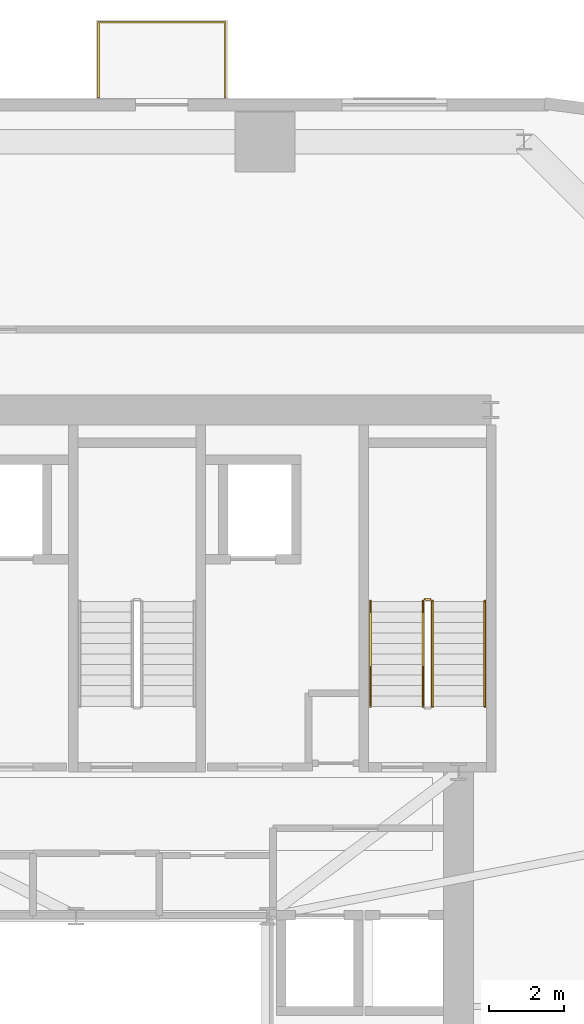
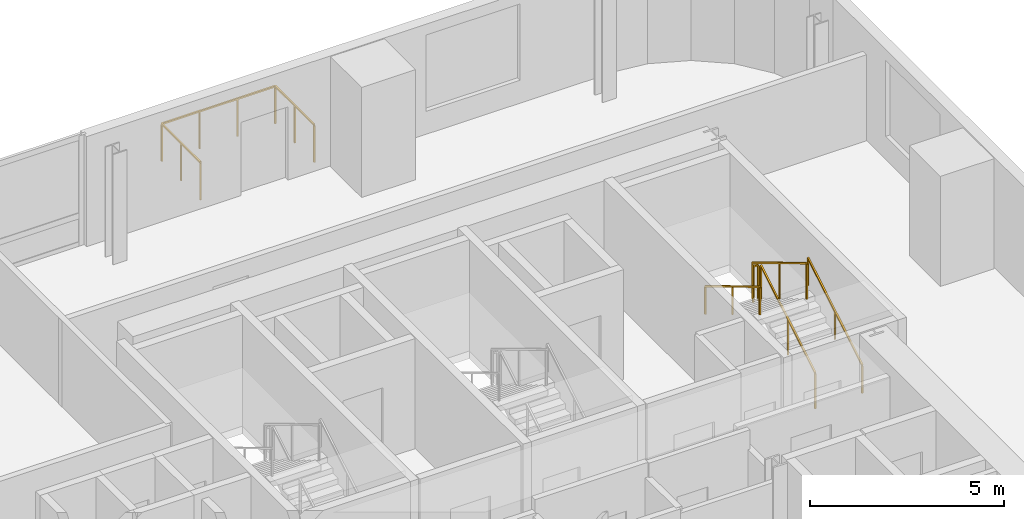
# One storey, part 14 of 14: 6 railings.
"""IFC4 building model written with IfcOpenShell, lengths in metres."""

from ifc_helpers import new_model, si_unit, direction, frame, origin, origin_2d, place, context, subcontext, project, spatial, rectangle, extrude, source, transform, mapped, material, type_object, element, save


model = new_model("IFC4")

# Units and contexts
model_context = context("Model", 3, precision=1e-05, world=origin(), true_north=direction((0.0, 1.0)))
body_context = subcontext(model_context, "Body", "Model", "MODEL_VIEW")
ifc_project = project(units=[si_unit("LENGTHUNIT", "METRE"), si_unit("AREAUNIT", "SQUARE_METRE"), si_unit("VOLUMEUNIT", "CUBIC_METRE"), si_unit("PLANEANGLEUNIT", "RADIAN"), si_unit("MASSUNIT", "GRAM", prefix="KILO")], contexts=[model_context])

# Site, building, storey
site_placement = place(None, origin())
site = spatial("IfcSite", under=ifc_project, at=site_placement, CompositionType="ELEMENT")
building_placement = place(site_placement, origin())
building = spatial("IfcBuilding", under=site, at=building_placement, Name="Vardaveli Station Tower", CompositionType="ELEMENT")
storey_placement = place(building_placement, frame((0.0, 0.0, 126.10009765625)))
storey = spatial("IfcBuildingStorey", under=building, at=storey_placement, Name="L32", CompositionType="ELEMENT", Elevation=126.10009765625)

# Railings
ifc_material_1 = material(Name="Laminated glass and stainless steel balustrade", Category="steel")
railing_type_1 = type_object("IfcRailingType", Name="RL-BAL-1200", PredefinedType="BALUSTRADE", material=ifc_material_1)
shared_shape_1 = source(origin(), body_context, "Body", "SweptSolid", [
    extrude(rectangle(XDim=0.048095703125, YDim=0.048095703125, at=origin_2d()), frame((0.0, 0.0, 1.17578125), z_axis=(0.0, 1.0, 0.0), x_axis=(-1.0, 0.0, 0.0)), (0.0, 0.0, 1.0), 2.0),
    extrude(rectangle(XDim=0.048095703125, YDim=0.048095703125, at=origin_2d()), frame((0.0, 2.0, 1.17578125), z_axis=(1.0, 0.0, 0.0), x_axis=(0.0, 1.0, 0.0)), (0.0, 0.0, 1.0), 3.3798828125),
    extrude(rectangle(XDim=0.048095703125, YDim=0.048095703125, at=origin_2d()), frame((3.3798828125, 2.0, 1.17578125), z_axis=(0.0, -1.0, 0.0), x_axis=(1.0, 0.0, 0.0)), (0.0, 0.0, 1.0), 2.0),
    extrude(rectangle(XDim=0.0419921875, YDim=0.0419921875, at=origin_2d()), origin(), (0.0, 0.0, 1.0), 1.15185546875),
    extrude(rectangle(XDim=0.0419921875, YDim=0.0419921875, at=origin_2d()), frame((0.0, 1.0, 0.0)), (0.0, 0.0, 1.0), 1.15185546875),
    extrude(rectangle(XDim=0.0419921875, YDim=0.0419921875, at=origin_2d()), frame((0.0, 2.0, 0.0)), (0.0, 0.0, 1.0), 1.15185546875),
    extrude(rectangle(XDim=0.0419921875, YDim=0.0419921875, at=origin_2d()), frame((1.126708984375, 2.0, 0.0)), (0.0, 0.0, 1.0), 1.15185546875),
    extrude(rectangle(XDim=0.0419921875, YDim=0.0419921875, at=origin_2d()), frame((2.253173828125, 2.0, 0.0)), (0.0, 0.0, 1.0), 1.15185546875),
    extrude(rectangle(XDim=0.0419921875, YDim=0.0419921875, at=origin_2d()), frame((3.3798828125, 2.0, 0.0)), (0.0, 0.0, 1.0), 1.15185546875),
    extrude(rectangle(XDim=0.0419921875, YDim=0.0419921875, at=origin_2d()), frame((3.3798828125, 1.0, 0.0)), (0.0, 0.0, 1.0), 1.15185546875),
    extrude(rectangle(XDim=0.0419921875, YDim=0.0419921875, at=origin_2d()), frame((3.3798828125, 0.0, 0.0)), (0.0, 0.0, 1.0), 1.15185546875),
])
railing_1_placement = place(storey_placement, frame((36.899658203125, 48.639892578125, 0.0)))
element("IfcRailing", 1, at=railing_1_placement, inside=storey, type_object=railing_type_1, Name="RL-LOG-L32-02", PredefinedType="BALUSTRADE", context=body_context, shape_type="MappedRepresentation", body=[
    mapped(shared_shape_1, transform((0.0, 0.0, 0.0), scale=1.0)),
])
ifc_material_2 = material(Name="Brushed AISI 316 stainless steel", Category="steel")
railing_type_2 = type_object("IfcRailingType", Name="RL-GUARD-1150", PredefinedType="GUARDRAIL", material=ifc_material_2)
shared_shape_2 = source(origin(), body_context, "Body", "SweptSolid", [
    extrude(rectangle(XDim=0.048095703125, YDim=0.048095703125, at=origin_2d()), frame((0.0, 0.0, 1.1259765625), z_axis=(-1.0, 0.0, 0.0), x_axis=(0.0, -1.0, 0.0)), (0.0, 0.0, 1.0), 0.14990234375),
    extrude(rectangle(XDim=0.0419921875, YDim=0.0419921875, at=origin_2d()), origin(), (0.0, 0.0, 1.0), 1.101806640625),
    extrude(rectangle(XDim=0.0419921875, YDim=0.0419921875, at=origin_2d()), frame((-0.14990234375, 0.0, 0.0)), (0.0, 0.0, 1.0), 1.101806640625),
])
railing_2_placement = place(storey_placement, frame((45.75, 35.25, 1.849853515625)))
element("IfcRailing", 2, at=railing_2_placement, inside=storey, type_object=railing_type_2, Name="L32 ST-3 stair guard 2", PredefinedType="GUARDRAIL", context=body_context, shape_type="MappedRepresentation", body=[
    mapped(shared_shape_2, transform((0.0, 0.0, 0.0), scale=1.0)),
])
shared_shape_3 = source(origin(), body_context, "Body", "SweptSolid", [
    extrude(rectangle(XDim=0.048095703125, YDim=0.048095703125, at=origin_2d()), frame((0.0, 0.0, 1.1259765625), z_axis=(0.0, -0.857242210791, 0.514913383045), x_axis=(1.0, 0.0, 0.0)), (0.0, 0.0, 1.0), 3.266357421875),
    extrude(rectangle(XDim=0.0419921875, YDim=0.0419921875, at=origin_2d()), origin(), (0.0, 0.0, 1.0), 1.101806640625),
    extrude(rectangle(XDim=0.0419921875, YDim=0.0419921875, at=origin_2d()), frame((0.0, -1.39990234375, 0.8408203125)), (0.0, 0.0, 1.0), 1.101806640625),
    extrude(rectangle(XDim=0.0419921875, YDim=0.0419921875, at=origin_2d()), frame((0.0, -2.800048828125, 1.681884765625)), (0.0, 0.0, 1.0), 1.101806640625),
])
railing_3_placement = place(storey_placement, frame((45.550048828125, 35.199951171875, 2.01806640625)))
element("IfcRailing", 3, at=railing_3_placement, inside=storey, type_object=railing_type_2, Name="L32 ST-3 stair guard 3", PredefinedType="GUARDRAIL", context=body_context, shape_type="MappedRepresentation", body=[
    mapped(shared_shape_3, transform((0.0, 0.0, 0.0), scale=1.0)),
])
railing_type_3 = type_object("IfcRailingType", Name="RL-HAND-900", PredefinedType="HANDRAIL", material=ifc_material_2)
shared_shape_4 = source(origin(), body_context, "Body", "SweptSolid", [
    extrude(rectangle(XDim=0.048095703125, YDim=0.048095703125, at=origin_2d()), frame((0.0, 0.0, 0.8759765625), z_axis=(0.0, -0.857242210791, 0.514913383045), x_axis=(1.0, 0.0, 0.0)), (0.0, 0.0, 1.0), 3.266357421875),
    extrude(rectangle(XDim=0.0419921875, YDim=0.0419921875, at=origin_2d()), origin(), (0.0, 0.0, 1.0), 0.851806640625),
    extrude(rectangle(XDim=0.0419921875, YDim=0.0419921875, at=origin_2d()), frame((0.0, -1.39990234375, 0.8408203125)), (0.0, 0.0, 1.0), 0.851806640625),
    extrude(rectangle(XDim=0.0419921875, YDim=0.0419921875, at=origin_2d()), frame((0.0, -2.800048828125, 1.681884765625)), (0.0, 0.0, 1.0), 0.851806640625),
])
railing_4_placement = place(storey_placement, frame((44.14990234375, 35.199951171875, 2.01806640625)))
element("IfcRailing", 4, at=railing_4_placement, inside=storey, type_object=railing_type_3, Name="L32 ST-3 stair handrail 2", PredefinedType="HANDRAIL", context=body_context, shape_type="MappedRepresentation", body=[
    mapped(shared_shape_4, transform((0.0, 0.0, 0.0), scale=1.0)),
])
shared_shape_5 = source(origin(), body_context, "Body", "SweptSolid", [
    extrude(rectangle(XDim=0.048095703125, YDim=0.048095703125, at=origin_2d()), frame((0.0, 0.0, 1.1259765625), z_axis=(0.0, 0.857242210791, 0.514913383045), x_axis=(-1.0, 0.0, 0.0)), (0.0, 0.0, 1.0), 3.266357421875),
    extrude(rectangle(XDim=0.0419921875, YDim=0.0419921875, at=origin_2d()), origin(), (0.0, 0.0, 1.0), 1.101806640625),
    extrude(rectangle(XDim=0.0419921875, YDim=0.0419921875, at=origin_2d()), frame((0.0, 1.39990234375, 0.8408203125)), (0.0, 0.0, 1.0), 1.101806640625),
    extrude(rectangle(XDim=0.0419921875, YDim=0.0419921875, at=origin_2d()), frame((0.0, 2.800048828125, 1.681884765625)), (0.0, 0.0, 1.0), 1.101806640625),
])
railing_5_placement = place(storey_placement, frame((45.800048828125, 32.39990234375, 0.16796875)))
element("IfcRailing", 5, at=railing_5_placement, inside=storey, type_object=railing_type_2, Name="L32 ST-3 stair guard 1", PredefinedType="GUARDRAIL", context=body_context, shape_type="MappedRepresentation", body=[
    mapped(shared_shape_5, transform((0.0, 0.0, 0.0), scale=1.0)),
])
shared_shape_6 = source(origin(), body_context, "Body", "SweptSolid", [
    extrude(rectangle(XDim=0.048095703125, YDim=0.048095703125, at=origin_2d()), frame((0.0, 0.0, 0.8759765625), z_axis=(0.0, 0.857242210791, 0.514913383045), x_axis=(-1.0, 0.0, 0.0)), (0.0, 0.0, 1.0), 3.266357421875),
    extrude(rectangle(XDim=0.0419921875, YDim=0.0419921875, at=origin_2d()), origin(), (0.0, 0.0, 1.0), 0.851806640625),
    extrude(rectangle(XDim=0.0419921875, YDim=0.0419921875, at=origin_2d()), frame((0.0, 1.39990234375, 0.8408203125)), (0.0, 0.0, 1.0), 0.851806640625),
    extrude(rectangle(XDim=0.0419921875, YDim=0.0419921875, at=origin_2d()), frame((0.0, 2.800048828125, 1.681884765625)), (0.0, 0.0, 1.0), 0.851806640625),
])
railing_6_placement = place(storey_placement, frame((47.199951171875, 32.39990234375, 0.16796875)))
element("IfcRailing", 6, at=railing_6_placement, inside=storey, type_object=railing_type_3, Name="L32 ST-3 stair handrail 1", PredefinedType="HANDRAIL", context=body_context, shape_type="MappedRepresentation", body=[
    mapped(shared_shape_6, transform((0.0, 0.0, 0.0), scale=1.0)),
])

save(model, "model.ifc")
